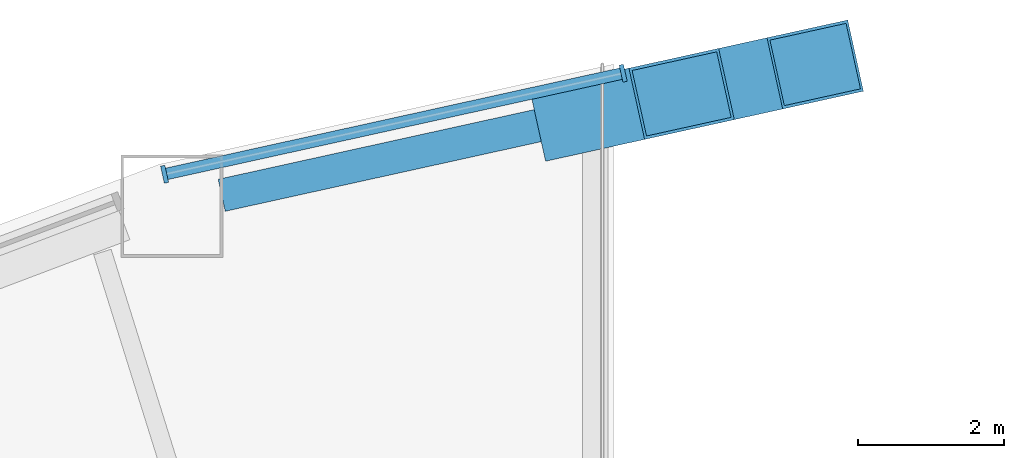
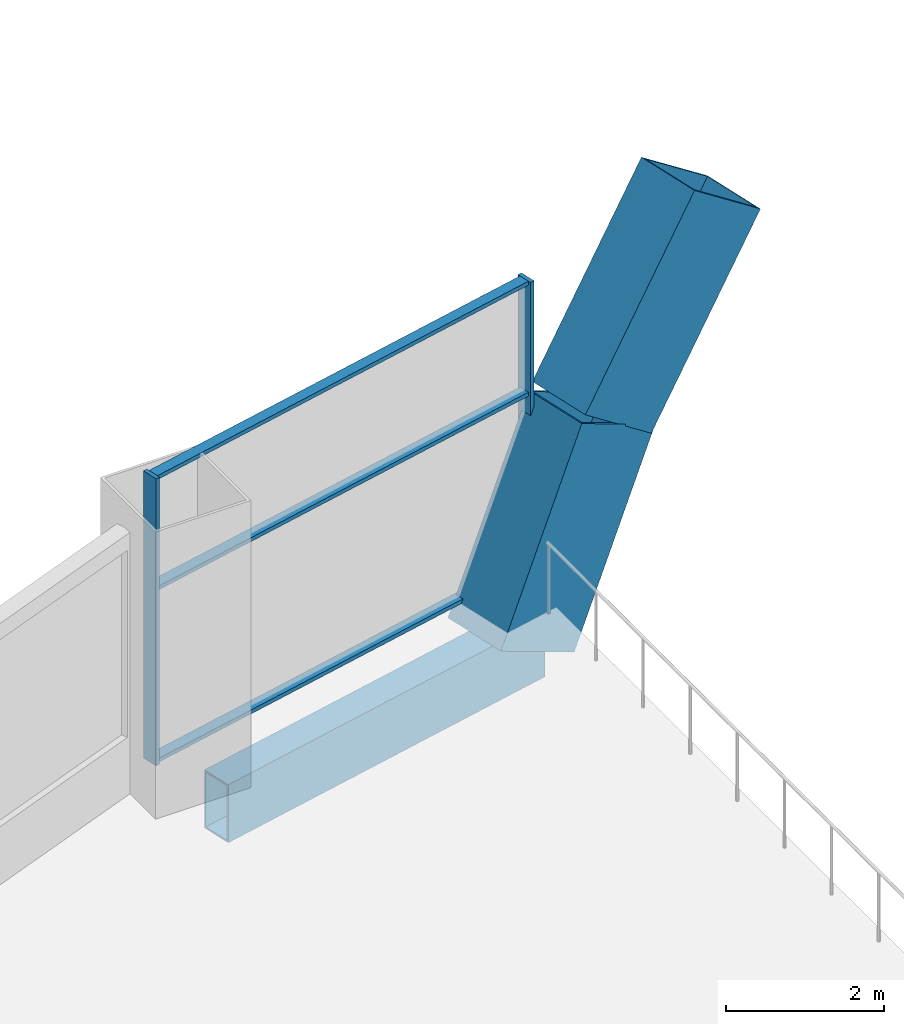
# One storey, part 7 of 20: 5 members, 3 beams, 1 element without a shape of its own.
"""IFC4 building model written with IfcOpenShell, lengths in metres."""

from ifc_helpers import new_model, si_unit, direction, frame, origin, origin_2d, place, context, subcontext, project, spatial, rectangle, hollow_rectangle, extrude, material, layer, layer_set, material_profile, profile_set, type_object, element, aggregate, save


model = new_model("IFC4")

# Units and contexts
model_context = context("Model", 3, precision=1e-05, world=origin(), true_north=direction((0.0, 1.0)))
body_context = subcontext(model_context, "Body", "Model", "MODEL_VIEW")
ifc_project = project(units=[si_unit("LENGTHUNIT", "METRE"), si_unit("AREAUNIT", "SQUARE_METRE"), si_unit("VOLUMEUNIT", "CUBIC_METRE"), si_unit("PLANEANGLEUNIT", "RADIAN"), si_unit("MASSUNIT", "GRAM", prefix="KILO")], contexts=[model_context])

# Site, building, storey
site_placement = place(None, origin())
site = spatial("IfcSite", under=ifc_project, at=site_placement, CompositionType="ELEMENT")
building_placement = place(site_placement, origin())
building = spatial("IfcBuilding", under=site, at=building_placement, Name="Tuul Gate Civic Tower", CompositionType="ELEMENT")
storey_placement = place(building_placement, frame((0.0, 0.0, 12.300048828125)))
storey = spatial("IfcBuildingStorey", under=building, at=storey_placement, Name="Level 02", CompositionType="ELEMENT", Elevation=12.300048828125)

# Curtain wall, members
ifc_material_1 = material(Name="Aluminium", Category="aluminium")
ifc_layer = layer(ifc_material_1, 0.199951171875)
ifc_layer_set = layer_set([ifc_layer], Name="Aluminium")
curtain_wall_type = type_object("IfcCurtainWallType", Name="Curtain wall CW6", PredefinedType="NOTDEFINED", material=ifc_layer_set)
curtain_wall_placement = place(storey_placement, origin())
curtain_wall = element("IfcCurtainWall", 1, at=curtain_wall_placement, inside=storey, type_object=curtain_wall_type, Name="Curtain wall CW6", PredefinedType="NOTDEFINED")
ifc_material_2 = material(Name="Aluminium", Category="aluminium")
ifc_material_profile_1 = material_profile(ifc_material_2, rectangle(XDim=0.239990234375, YDim=0.06005859375, at=origin_2d()), Name="CW6 mullion")
ifc_profile_set_1 = profile_set([ifc_material_profile_1], Name="Aluminium")
member_type_1 = type_object("IfcMemberType", Name="CW6 mullion", PredefinedType="MULLION", material=ifc_profile_set_1)
member_1_placement = place(storey_placement, frame((-16.602294921875, 18.41943359375, 0.0), z_axis=(0.0, 0.0, 1.0), x_axis=(0.215206763576, -0.976568507024, 0.0)))
member_1 = element("IfcMember", 2, at=member_1_placement, type_object=member_type_1, Name="Mullion", PredefinedType="MULLION", context=body_context, shape_type="SweptSolid", body=[
    extrude(rectangle(XDim=0.239990234375, YDim=0.06005859375, at=origin_2d()), origin(), (0.0, 0.0, 1.0), 4.449951171875),
])
member_2_placement = place(storey_placement, frame((-22.8916015625, 17.033447265625, 0.0), z_axis=(0.0, 0.0, 1.0), x_axis=(0.215206763576, -0.976568507024, 0.0)))
member_2 = element("IfcMember", 3, at=member_2_placement, type_object=member_type_1, Name="Mullion", PredefinedType="MULLION", context=body_context, shape_type="SweptSolid", body=[
    extrude(rectangle(XDim=0.239990234375, YDim=0.06005859375, at=origin_2d()), origin(), (0.0, 0.0, 1.0), 4.449951171875),
])
ifc_material_3 = material(Name="Aluminium", Category="aluminium")
ifc_material_profile_2 = material_profile(ifc_material_3, rectangle(XDim=0.159912109375, YDim=0.06005859375, at=origin_2d()), Name="CW6 transom")
ifc_profile_set_2 = profile_set([ifc_material_profile_2], Name="Aluminium")
member_type_2 = type_object("IfcMemberType", Name="CW6 transom", PredefinedType="USERDEFINED", material=ifc_profile_set_2)
member_3_placement = place(storey_placement, frame((-16.631591796875, 18.4130859375, 0.030029296875), z_axis=(-0.97656104531, -0.21524062066, 0.0), x_axis=(0.21524062066, -0.97656104531, 0.0)))
member_3 = element("IfcMember", 4, at=member_3_placement, type_object=member_type_2, Name="Transom", ObjectType="TRANSOM", PredefinedType="USERDEFINED", context=body_context, shape_type="SweptSolid", body=[
    extrude(rectangle(XDim=0.159912109375, YDim=0.06005859375, at=origin_2d()), origin(), (0.0, 0.0, 1.0), 6.38037109375),
])
member_4_placement = place(storey_placement, frame((-16.631591796875, 18.4130859375, 2.699951171875), z_axis=(-0.97656104531, -0.21524062066, 0.0), x_axis=(0.21524062066, -0.97656104531, 0.0)))
member_4 = element("IfcMember", 5, at=member_4_placement, type_object=member_type_2, Name="Transom", ObjectType="TRANSOM", PredefinedType="USERDEFINED", context=body_context, shape_type="SweptSolid", body=[
    extrude(rectangle(XDim=0.159912109375, YDim=0.06005859375, at=origin_2d()), origin(), (0.0, 0.0, 1.0), 6.38037109375),
])
member_5_placement = place(storey_placement, frame((-16.631591796875, 18.4130859375, 4.419921875), z_axis=(-0.97656104531, -0.21524062066, 0.0), x_axis=(0.21524062066, -0.97656104531, 0.0)))
member_5 = element("IfcMember", 6, at=member_5_placement, type_object=member_type_2, Name="Transom", ObjectType="TRANSOM", PredefinedType="USERDEFINED", context=body_context, shape_type="SweptSolid", body=[
    extrude(rectangle(XDim=0.159912109375, YDim=0.06005859375, at=origin_2d()), origin(), (0.0, 0.0, 1.0), 6.38037109375),
])
aggregate(curtain_wall, [member_1, member_2, member_3, member_4, member_5])

# Beams
ifc_material_4 = material(Name="Steel S460", Category="steel")
ifc_material_profile_3 = material_profile(ifc_material_4, hollow_rectangle(XDim=1.0, YDim=1.39990234375, WallThickness=0.0400390625, at=origin_2d()), Name="BOX1400x1000x40")
ifc_profile_set_3 = profile_set([ifc_material_profile_3], Name="Steel S460")
beam_type_1 = type_object("IfcBeamType", Name="STR-ARCH TRUSS CHORD-BOX1400x1000x40", PredefinedType="BEAM", material=ifc_profile_set_3)
beam_1_placement = place(storey_placement, frame((-17.158935546875, 17.83642578125, -0.5390625), z_axis=(0.425782137583, 0.093852732952, 0.899945129346), x_axis=(-0.215256996806, 0.976557435754, 0.0)))
element("IfcBeam", 7, at=beam_1_placement, inside=storey, type_object=beam_type_1, Name="Arch rib", PredefinedType="BEAM", context=body_context, shape_type="SweptSolid", body=[
    extrude(hollow_rectangle(XDim=1.0, YDim=1.39990234375, WallThickness=0.0400390625, at=origin_2d()), origin(), (0.0, 0.0, 1.0), 3.189208984375),
])
beam_2_placement = place(storey_placement, frame((-15.801025390625, 18.1357421875, 2.3310546875), z_axis=(0.572746053642, 0.12616594172, 0.809965501233), x_axis=(-0.215124939042, 0.976586535132, 0.0)))
element("IfcBeam", 8, at=beam_2_placement, inside=storey, type_object=beam_type_1, Name="Arch rib", PredefinedType="BEAM", context=body_context, shape_type="SweptSolid", body=[
    extrude(hollow_rectangle(XDim=1.0, YDim=1.39990234375, WallThickness=0.0400390625, at=origin_2d()), origin(), (0.0, 0.0, 1.0), 3.19873046875),
])
ifc_material_5 = material(Name="Steel S355", Category="steel")
ifc_material_profile_4 = material_profile(ifc_material_5, hollow_rectangle(XDim=0.449951171875, YDim=0.89990234375, WallThickness=0.02490234375, at=origin_2d()), Name="BOX900x450x25")
ifc_profile_set_4 = profile_set([ifc_material_profile_4], Name="Steel S355")
beam_type_2 = type_object("IfcBeamType", Name="STR-SPANDREL BEAM-BOX900x450x25", PredefinedType="BEAM", material=ifc_profile_set_4)
beam_3_placement = place(storey_placement, frame((-16.7880859375, 17.918212890625, -0.800048828125), z_axis=(-0.976562018583, -0.215236204812, 0.0), x_axis=(0.215236204812, -0.976562018583, 0.0)))
element("IfcBeam", 9, at=beam_3_placement, inside=storey, type_object=beam_type_2, Name="Spandrel beam", PredefinedType="BEAM", context=body_context, shape_type="SweptSolid", body=[
    extrude(hollow_rectangle(XDim=0.449951171875, YDim=0.89990234375, WallThickness=0.02490234375, at=origin_2d()), origin(), (0.0, 0.0, 1.0), 5.447998046875),
])

save(model, "model.ifc")
